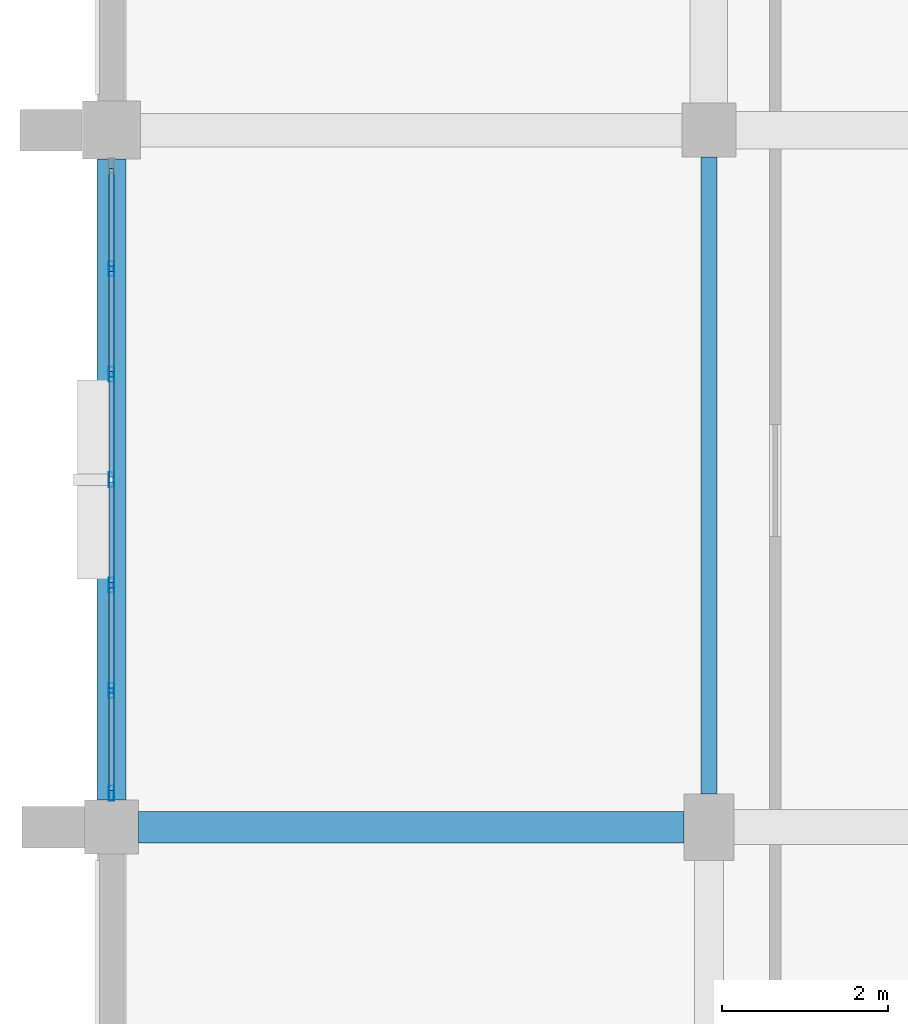
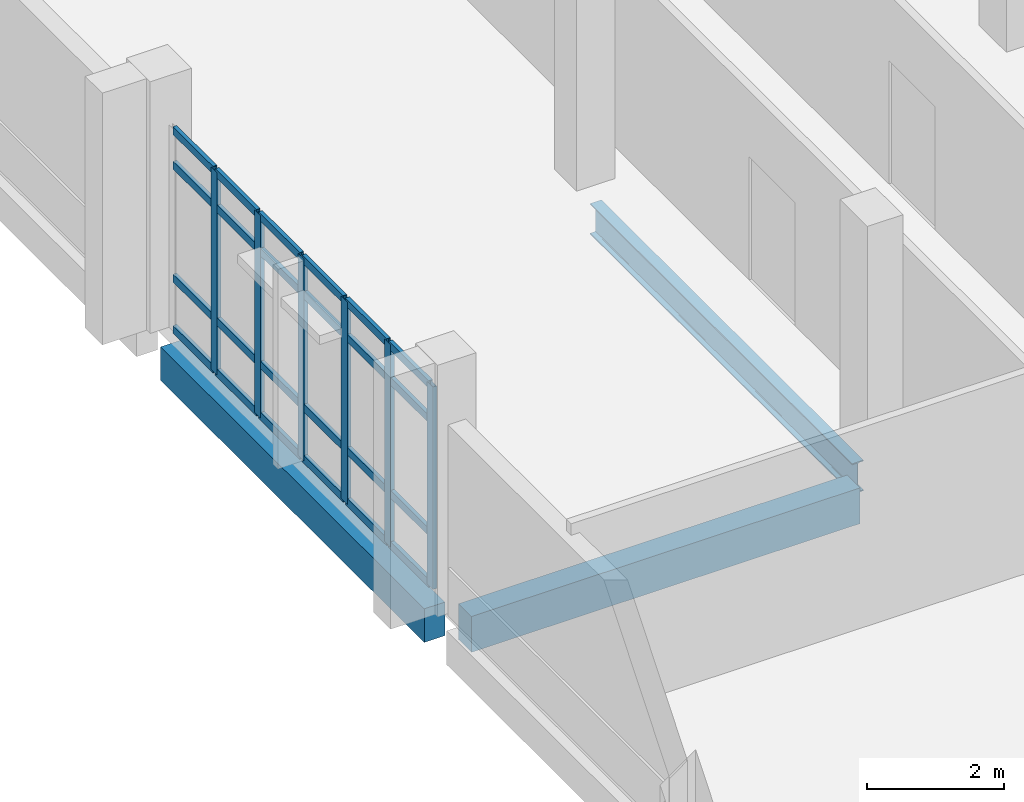
# One storey, part 56 of 116: 30 members, 3 beams, 1 element without a shape of its own.
"""IFC4 building model written with IfcOpenShell, lengths in metres."""

from ifc_helpers import new_model, si_unit, direction, frame, origin, origin_2d, place, context, subcontext, project, spatial, rectangle, hollow_rectangle, i_section, extrude, material, material_profile, profile_set, type_object, element, aggregate, save


model = new_model("IFC4")

# Units and contexts
model_context = context("Model", 3, precision=1e-05, world=origin(), true_north=direction((0.0, 1.0)))
body_context = subcontext(model_context, "Body", "Model", "MODEL_VIEW")
ifc_project = project(units=[si_unit("LENGTHUNIT", "METRE"), si_unit("AREAUNIT", "SQUARE_METRE"), si_unit("VOLUMEUNIT", "CUBIC_METRE"), si_unit("PLANEANGLEUNIT", "RADIAN"), si_unit("MASSUNIT", "GRAM", prefix="KILO")], contexts=[model_context])

# Site, building, storey
site_placement = place(None, origin())
site = spatial("IfcSite", under=ifc_project, at=site_placement, CompositionType="ELEMENT")
building_placement = place(site_placement, origin())
building = spatial("IfcBuilding", under=site, at=building_placement, Name="Kalluvel Institute of Natural Sciences", CompositionType="ELEMENT")
storey_placement = place(building_placement, frame((0.0, 0.0, 14.39990234375)))
storey = spatial("IfcBuildingStorey", under=building, at=storey_placement, Name="L03", CompositionType="ELEMENT", Elevation=14.39990234375)

# Beams
ifc_material_1 = material(Name="Steel E350 Grade 350", Category="steel")
ifc_material_profile_1 = material_profile(ifc_material_1, i_section(OverallWidth=0.18994140625, OverallDepth=0.550048828125, WebThickness=0.01123046875, FlangeThickness=0.019287109375, FilletRadius=0.01806640625, at=origin_2d()), Name="ISMB 550")
ifc_profile_set_1 = profile_set([ifc_material_profile_1], Name="Steel E350 Grade 350")
beam_type_1 = type_object("IfcBeamType", Name="BM-ISMB550", PredefinedType="BEAM", material=ifc_profile_set_1)
beam_1_placement = place(storey_placement, frame((21.199951171875, 86.39990234375, -0.574951171875), z_axis=(0.0, 1.0, 0.0), x_axis=(-1.0, 0.0, 0.0)))
element("IfcBeam", 1, at=beam_1_placement, inside=storey, type_object=beam_type_1, Name="L03 girder GIR-L03-NS-X212-Y860", PredefinedType="BEAM", context=body_context, shape_type="SweptSolid", body=[
    extrude(i_section(OverallWidth=0.18994140625, OverallDepth=0.550048828125, WebThickness=0.01123046875, FlangeThickness=0.019287109375, FilletRadius=0.01806640625, at=origin_2d()), origin(), (0.0, 0.0, 1.0), 7.675048828125),
])
ifc_material_2 = material(Name="Concrete M40", Category="concrete")
ifc_material_profile_2 = material_profile(ifc_material_2, rectangle(XDim=0.3798828125, YDim=0.639892578125, at=origin_2d()), Name="RCB 380x640")
ifc_profile_set_2 = profile_set([ifc_material_profile_2], Name="Concrete M40")
beam_type_2 = type_object("IfcBeamType", Name="BM-RC380x640", PredefinedType="BEAM", material=ifc_profile_set_2)
beam_2_placement = place(storey_placement, frame((14.324951171875, 86.0, -0.619873046875), z_axis=(1.0, 0.0, 0.0), x_axis=(0.0, 1.0, 0.0)))
element("IfcBeam", 2, at=beam_2_placement, inside=storey, type_object=beam_type_2, Name="L03 girder GIR-L03-EW-X140-Y860", PredefinedType="BEAM", context=body_context, shape_type="SweptSolid", body=[
    extrude(rectangle(XDim=0.3798828125, YDim=0.639892578125, at=origin_2d()), origin(), (0.0, 0.0, 1.0), 6.574951171875),
])

# Curtain wall, members
ifc_material_3 = material(Name="Aluminium AW-6063 T6", Category="aluminium")
curtain_wall_type = type_object("IfcCurtainWallType", Name="CW-DRY-45", PredefinedType="USERDEFINED", material=ifc_material_3)
curtain_wall_placement = place(storey_placement, origin())
curtain_wall = element("IfcCurtainWall", 3, at=curtain_wall_placement, inside=storey, type_object=curtain_wall_type, Name="L03 Gothic lancet curtain wall CWA-L03-X140-Y864", ObjectType="UNITISED LANCET FACADE", PredefinedType="USERDEFINED")
ifc_material_profile_3 = material_profile(ifc_material_3, hollow_rectangle(XDim=0.06494140625, YDim=0.179931640625, WallThickness=0.00439453125, at=origin_2d()), Name="CWM 65x180")
ifc_profile_set_3 = profile_set([ifc_material_profile_3], Name="Aluminium AW-6063 T6")
member_type_1 = type_object("IfcMemberType", Name="CWM-65x180", PredefinedType="MULLION", material=ifc_profile_set_3)
member_1_placement = place(storey_placement, frame((14.0, 86.407470703125, 0.0), z_axis=(0.0, 0.0, 1.0), x_axis=(-1.0, 0.0, 0.0)))
member_1 = element("IfcMember", 4, at=member_1_placement, type_object=member_type_1, Name="CW-03 mullion 1", PredefinedType="MULLION", context=body_context, shape_type="SweptSolid", body=[
    extrude(hollow_rectangle(XDim=0.06494140625, YDim=0.179931640625, WallThickness=0.00439453125, at=origin_2d()), origin(), (0.0, 0.0, 1.0), 3.6201171875),
])
member_2_placement = place(storey_placement, frame((14.0, 87.645751953125, 0.0), z_axis=(0.0, 0.0, 1.0), x_axis=(-1.0, 0.0, 0.0)))
member_2 = element("IfcMember", 5, at=member_2_placement, type_object=member_type_1, Name="CW-03 mullion 2", PredefinedType="MULLION", context=body_context, shape_type="SweptSolid", body=[
    extrude(hollow_rectangle(XDim=0.06494140625, YDim=0.179931640625, WallThickness=0.00439453125, at=origin_2d()), origin(), (0.0, 0.0, 1.0), 3.6201171875),
])
member_3_placement = place(storey_placement, frame((14.0, 88.916748046875, 0.0), z_axis=(0.0, 0.0, 1.0), x_axis=(-1.0, 0.0, 0.0)))
member_3 = element("IfcMember", 6, at=member_3_placement, type_object=member_type_1, Name="CW-03 mullion 3", PredefinedType="MULLION", context=body_context, shape_type="SweptSolid", body=[
    extrude(hollow_rectangle(XDim=0.06494140625, YDim=0.179931640625, WallThickness=0.00439453125, at=origin_2d()), origin(), (0.0, 0.0, 1.0), 3.6201171875),
])
member_4_placement = place(storey_placement, frame((14.0, 90.1875, 0.0), z_axis=(0.0, 0.0, 1.0), x_axis=(-1.0, 0.0, 0.0)))
member_4 = element("IfcMember", 7, at=member_4_placement, type_object=member_type_1, Name="CW-03 mullion 4", PredefinedType="MULLION", context=body_context, shape_type="SweptSolid", body=[
    extrude(hollow_rectangle(XDim=0.06494140625, YDim=0.179931640625, WallThickness=0.00439453125, at=origin_2d()), origin(), (0.0, 0.0, 1.0), 3.6201171875),
])
member_5_placement = place(storey_placement, frame((14.0, 91.458251953125, 0.0), z_axis=(0.0, 0.0, 1.0), x_axis=(-1.0, 0.0, 0.0)))
member_5 = element("IfcMember", 8, at=member_5_placement, type_object=member_type_1, Name="CW-03 mullion 5", PredefinedType="MULLION", context=body_context, shape_type="SweptSolid", body=[
    extrude(hollow_rectangle(XDim=0.06494140625, YDim=0.179931640625, WallThickness=0.00439453125, at=origin_2d()), origin(), (0.0, 0.0, 1.0), 3.6201171875),
])
member_6_placement = place(storey_placement, frame((14.0, 92.729248046875, 0.0), z_axis=(0.0, 0.0, 1.0), x_axis=(-1.0, 0.0, 0.0)))
member_6 = element("IfcMember", 9, at=member_6_placement, type_object=member_type_1, Name="CW-03 mullion 6", PredefinedType="MULLION", context=body_context, shape_type="SweptSolid", body=[
    extrude(hollow_rectangle(XDim=0.06494140625, YDim=0.179931640625, WallThickness=0.00439453125, at=origin_2d()), origin(), (0.0, 0.0, 1.0), 3.6201171875),
])
ifc_material_profile_4 = material_profile(ifc_material_3, hollow_rectangle(XDim=0.06494140625, YDim=0.139892578125, WallThickness=0.00439453125, at=origin_2d()), Name="CWT 65x140")
ifc_profile_set_4 = profile_set([ifc_material_profile_4], Name="Aluminium AW-6063 T6")
member_type_2 = type_object("IfcMemberType", Name="CWT-65x140", PredefinedType="USERDEFINED", material=ifc_profile_set_4)
member_7_placement = place(storey_placement, frame((14.0, 86.43994140625, 0.03271484375), z_axis=(0.0, 1.0, 0.0), x_axis=(-1.0, 0.0, 0.0)))
member_7 = element("IfcMember", 10, at=member_7_placement, type_object=member_type_2, Name="CW-03 transom 1.1", ObjectType="TRANSOM", PredefinedType="USERDEFINED", context=body_context, shape_type="SweptSolid", body=[
    extrude(hollow_rectangle(XDim=0.06494140625, YDim=0.139892578125, WallThickness=0.00439453125, at=origin_2d()), origin(), (0.0, 0.0, 1.0), 1.17333984375),
])
member_8_placement = place(storey_placement, frame((14.0, 86.43994140625, 0.9501953125), z_axis=(0.0, 1.0, 0.0), x_axis=(-1.0, 0.0, 0.0)))
member_8 = element("IfcMember", 11, at=member_8_placement, type_object=member_type_2, Name="CW-03 transom 1.2", ObjectType="TRANSOM", PredefinedType="USERDEFINED", context=body_context, shape_type="SweptSolid", body=[
    extrude(hollow_rectangle(XDim=0.06494140625, YDim=0.139892578125, WallThickness=0.00439453125, at=origin_2d()), origin(), (0.0, 0.0, 1.0), 1.17333984375),
])
member_9_placement = place(storey_placement, frame((14.0, 86.43994140625, 2.97021484375), z_axis=(0.0, 1.0, 0.0), x_axis=(-1.0, 0.0, 0.0)))
member_9 = element("IfcMember", 12, at=member_9_placement, type_object=member_type_2, Name="CW-03 transom 1.3", ObjectType="TRANSOM", PredefinedType="USERDEFINED", context=body_context, shape_type="SweptSolid", body=[
    extrude(hollow_rectangle(XDim=0.06494140625, YDim=0.139892578125, WallThickness=0.00439453125, at=origin_2d()), origin(), (0.0, 0.0, 1.0), 1.17333984375),
])
member_10_placement = place(storey_placement, frame((14.0, 86.43994140625, 3.587646484375), z_axis=(0.0, 1.0, 0.0), x_axis=(-1.0, 0.0, 0.0)))
member_10 = element("IfcMember", 13, at=member_10_placement, type_object=member_type_2, Name="CW-03 transom 1.4", ObjectType="TRANSOM", PredefinedType="USERDEFINED", context=body_context, shape_type="SweptSolid", body=[
    extrude(hollow_rectangle(XDim=0.06494140625, YDim=0.139892578125, WallThickness=0.00439453125, at=origin_2d()), origin(), (0.0, 0.0, 1.0), 1.17333984375),
])
member_11_placement = place(storey_placement, frame((14.0, 87.67822265625, 0.03271484375), z_axis=(0.0, 1.0, 0.0), x_axis=(-1.0, 0.0, 0.0)))
member_11 = element("IfcMember", 14, at=member_11_placement, type_object=member_type_2, Name="CW-03 transom 2.1", ObjectType="TRANSOM", PredefinedType="USERDEFINED", context=body_context, shape_type="SweptSolid", body=[
    extrude(hollow_rectangle(XDim=0.06494140625, YDim=0.139892578125, WallThickness=0.00439453125, at=origin_2d()), origin(), (0.0, 0.0, 1.0), 1.2060546875),
])
member_12_placement = place(storey_placement, frame((14.0, 87.67822265625, 0.9501953125), z_axis=(0.0, 1.0, 0.0), x_axis=(-1.0, 0.0, 0.0)))
member_12 = element("IfcMember", 15, at=member_12_placement, type_object=member_type_2, Name="CW-03 transom 2.2", ObjectType="TRANSOM", PredefinedType="USERDEFINED", context=body_context, shape_type="SweptSolid", body=[
    extrude(hollow_rectangle(XDim=0.06494140625, YDim=0.139892578125, WallThickness=0.00439453125, at=origin_2d()), origin(), (0.0, 0.0, 1.0), 1.2060546875),
])
member_13_placement = place(storey_placement, frame((14.0, 87.67822265625, 2.97021484375), z_axis=(0.0, 1.0, 0.0), x_axis=(-1.0, 0.0, 0.0)))
member_13 = element("IfcMember", 16, at=member_13_placement, type_object=member_type_2, Name="CW-03 transom 2.3", ObjectType="TRANSOM", PredefinedType="USERDEFINED", context=body_context, shape_type="SweptSolid", body=[
    extrude(hollow_rectangle(XDim=0.06494140625, YDim=0.139892578125, WallThickness=0.00439453125, at=origin_2d()), origin(), (0.0, 0.0, 1.0), 1.2060546875),
])
member_14_placement = place(storey_placement, frame((14.0, 87.67822265625, 3.587646484375), z_axis=(0.0, 1.0, 0.0), x_axis=(-1.0, 0.0, 0.0)))
member_14 = element("IfcMember", 17, at=member_14_placement, type_object=member_type_2, Name="CW-03 transom 2.4", ObjectType="TRANSOM", PredefinedType="USERDEFINED", context=body_context, shape_type="SweptSolid", body=[
    extrude(hollow_rectangle(XDim=0.06494140625, YDim=0.139892578125, WallThickness=0.00439453125, at=origin_2d()), origin(), (0.0, 0.0, 1.0), 1.2060546875),
])
member_15_placement = place(storey_placement, frame((14.0, 88.94921875, 0.03271484375), z_axis=(0.0, 1.0, 0.0), x_axis=(-1.0, 0.0, 0.0)))
member_15 = element("IfcMember", 18, at=member_15_placement, type_object=member_type_2, Name="CW-03 transom 3.1", ObjectType="TRANSOM", PredefinedType="USERDEFINED", context=body_context, shape_type="SweptSolid", body=[
    extrude(hollow_rectangle(XDim=0.06494140625, YDim=0.139892578125, WallThickness=0.00439453125, at=origin_2d()), origin(), (0.0, 0.0, 1.0), 1.205810546875),
])
member_16_placement = place(storey_placement, frame((14.0, 88.94921875, 0.9501953125), z_axis=(0.0, 1.0, 0.0), x_axis=(-1.0, 0.0, 0.0)))
member_16 = element("IfcMember", 19, at=member_16_placement, type_object=member_type_2, Name="CW-03 transom 3.2", ObjectType="TRANSOM", PredefinedType="USERDEFINED", context=body_context, shape_type="SweptSolid", body=[
    extrude(hollow_rectangle(XDim=0.06494140625, YDim=0.139892578125, WallThickness=0.00439453125, at=origin_2d()), origin(), (0.0, 0.0, 1.0), 1.205810546875),
])
member_17_placement = place(storey_placement, frame((14.0, 88.94921875, 2.97021484375), z_axis=(0.0, 1.0, 0.0), x_axis=(-1.0, 0.0, 0.0)))
member_17 = element("IfcMember", 20, at=member_17_placement, type_object=member_type_2, Name="CW-03 transom 3.3", ObjectType="TRANSOM", PredefinedType="USERDEFINED", context=body_context, shape_type="SweptSolid", body=[
    extrude(hollow_rectangle(XDim=0.06494140625, YDim=0.139892578125, WallThickness=0.00439453125, at=origin_2d()), origin(), (0.0, 0.0, 1.0), 1.205810546875),
])
member_18_placement = place(storey_placement, frame((14.0, 88.94921875, 3.587646484375), z_axis=(0.0, 1.0, 0.0), x_axis=(-1.0, 0.0, 0.0)))
member_18 = element("IfcMember", 21, at=member_18_placement, type_object=member_type_2, Name="CW-03 transom 3.4", ObjectType="TRANSOM", PredefinedType="USERDEFINED", context=body_context, shape_type="SweptSolid", body=[
    extrude(hollow_rectangle(XDim=0.06494140625, YDim=0.139892578125, WallThickness=0.00439453125, at=origin_2d()), origin(), (0.0, 0.0, 1.0), 1.205810546875),
])
member_19_placement = place(storey_placement, frame((14.0, 90.219970703125, 0.03271484375), z_axis=(0.0, 1.0, 0.0), x_axis=(-1.0, 0.0, 0.0)))
member_19 = element("IfcMember", 22, at=member_19_placement, type_object=member_type_2, Name="CW-03 transom 4.1", ObjectType="TRANSOM", PredefinedType="USERDEFINED", context=body_context, shape_type="SweptSolid", body=[
    extrude(hollow_rectangle(XDim=0.06494140625, YDim=0.139892578125, WallThickness=0.00439453125, at=origin_2d()), origin(), (0.0, 0.0, 1.0), 1.205810546875),
])
member_20_placement = place(storey_placement, frame((14.0, 90.219970703125, 0.9501953125), z_axis=(0.0, 1.0, 0.0), x_axis=(-1.0, 0.0, 0.0)))
member_20 = element("IfcMember", 23, at=member_20_placement, type_object=member_type_2, Name="CW-03 transom 4.2", ObjectType="TRANSOM", PredefinedType="USERDEFINED", context=body_context, shape_type="SweptSolid", body=[
    extrude(hollow_rectangle(XDim=0.06494140625, YDim=0.139892578125, WallThickness=0.00439453125, at=origin_2d()), origin(), (0.0, 0.0, 1.0), 1.205810546875),
])
member_21_placement = place(storey_placement, frame((14.0, 90.219970703125, 2.97021484375), z_axis=(0.0, 1.0, 0.0), x_axis=(-1.0, 0.0, 0.0)))
member_21 = element("IfcMember", 24, at=member_21_placement, type_object=member_type_2, Name="CW-03 transom 4.3", ObjectType="TRANSOM", PredefinedType="USERDEFINED", context=body_context, shape_type="SweptSolid", body=[
    extrude(hollow_rectangle(XDim=0.06494140625, YDim=0.139892578125, WallThickness=0.00439453125, at=origin_2d()), origin(), (0.0, 0.0, 1.0), 1.205810546875),
])
member_22_placement = place(storey_placement, frame((14.0, 90.219970703125, 3.587646484375), z_axis=(0.0, 1.0, 0.0), x_axis=(-1.0, 0.0, 0.0)))
member_22 = element("IfcMember", 25, at=member_22_placement, type_object=member_type_2, Name="CW-03 transom 4.4", ObjectType="TRANSOM", PredefinedType="USERDEFINED", context=body_context, shape_type="SweptSolid", body=[
    extrude(hollow_rectangle(XDim=0.06494140625, YDim=0.139892578125, WallThickness=0.00439453125, at=origin_2d()), origin(), (0.0, 0.0, 1.0), 1.205810546875),
])
member_23_placement = place(storey_placement, frame((14.0, 91.49072265625, 0.03271484375), z_axis=(0.0, 1.0, 0.0), x_axis=(-1.0, 0.0, 0.0)))
member_23 = element("IfcMember", 26, at=member_23_placement, type_object=member_type_2, Name="CW-03 transom 5.1", ObjectType="TRANSOM", PredefinedType="USERDEFINED", context=body_context, shape_type="SweptSolid", body=[
    extrude(hollow_rectangle(XDim=0.06494140625, YDim=0.139892578125, WallThickness=0.00439453125, at=origin_2d()), origin(), (0.0, 0.0, 1.0), 1.2060546875),
])
member_24_placement = place(storey_placement, frame((14.0, 91.49072265625, 0.9501953125), z_axis=(0.0, 1.0, 0.0), x_axis=(-1.0, 0.0, 0.0)))
member_24 = element("IfcMember", 27, at=member_24_placement, type_object=member_type_2, Name="CW-03 transom 5.2", ObjectType="TRANSOM", PredefinedType="USERDEFINED", context=body_context, shape_type="SweptSolid", body=[
    extrude(hollow_rectangle(XDim=0.06494140625, YDim=0.139892578125, WallThickness=0.00439453125, at=origin_2d()), origin(), (0.0, 0.0, 1.0), 1.2060546875),
])
member_25_placement = place(storey_placement, frame((14.0, 91.49072265625, 2.97021484375), z_axis=(0.0, 1.0, 0.0), x_axis=(-1.0, 0.0, 0.0)))
member_25 = element("IfcMember", 28, at=member_25_placement, type_object=member_type_2, Name="CW-03 transom 5.3", ObjectType="TRANSOM", PredefinedType="USERDEFINED", context=body_context, shape_type="SweptSolid", body=[
    extrude(hollow_rectangle(XDim=0.06494140625, YDim=0.139892578125, WallThickness=0.00439453125, at=origin_2d()), origin(), (0.0, 0.0, 1.0), 1.2060546875),
])
member_26_placement = place(storey_placement, frame((14.0, 91.49072265625, 3.587646484375), z_axis=(0.0, 1.0, 0.0), x_axis=(-1.0, 0.0, 0.0)))
member_26 = element("IfcMember", 29, at=member_26_placement, type_object=member_type_2, Name="CW-03 transom 5.4", ObjectType="TRANSOM", PredefinedType="USERDEFINED", context=body_context, shape_type="SweptSolid", body=[
    extrude(hollow_rectangle(XDim=0.06494140625, YDim=0.139892578125, WallThickness=0.00439453125, at=origin_2d()), origin(), (0.0, 0.0, 1.0), 1.2060546875),
])
member_27_placement = place(storey_placement, frame((14.0, 92.76171875, 0.03271484375), z_axis=(0.0, 1.0, 0.0), x_axis=(-1.0, 0.0, 0.0)))
member_27 = element("IfcMember", 30, at=member_27_placement, type_object=member_type_2, Name="CW-03 transom 6.1", ObjectType="TRANSOM", PredefinedType="USERDEFINED", context=body_context, shape_type="SweptSolid", body=[
    extrude(hollow_rectangle(XDim=0.06494140625, YDim=0.139892578125, WallThickness=0.00439453125, at=origin_2d()), origin(), (0.0, 0.0, 1.0), 1.17333984375),
])
member_28_placement = place(storey_placement, frame((14.0, 92.76171875, 0.9501953125), z_axis=(0.0, 1.0, 0.0), x_axis=(-1.0, 0.0, 0.0)))
member_28 = element("IfcMember", 31, at=member_28_placement, type_object=member_type_2, Name="CW-03 transom 6.2", ObjectType="TRANSOM", PredefinedType="USERDEFINED", context=body_context, shape_type="SweptSolid", body=[
    extrude(hollow_rectangle(XDim=0.06494140625, YDim=0.139892578125, WallThickness=0.00439453125, at=origin_2d()), origin(), (0.0, 0.0, 1.0), 1.17333984375),
])
member_29_placement = place(storey_placement, frame((14.0, 92.76171875, 2.97021484375), z_axis=(0.0, 1.0, 0.0), x_axis=(-1.0, 0.0, 0.0)))
member_29 = element("IfcMember", 32, at=member_29_placement, type_object=member_type_2, Name="CW-03 transom 6.3", ObjectType="TRANSOM", PredefinedType="USERDEFINED", context=body_context, shape_type="SweptSolid", body=[
    extrude(hollow_rectangle(XDim=0.06494140625, YDim=0.139892578125, WallThickness=0.00439453125, at=origin_2d()), origin(), (0.0, 0.0, 1.0), 1.17333984375),
])
member_30_placement = place(storey_placement, frame((14.0, 92.76171875, 3.587646484375), z_axis=(0.0, 1.0, 0.0), x_axis=(-1.0, 0.0, 0.0)))
member_30 = element("IfcMember", 33, at=member_30_placement, type_object=member_type_2, Name="CW-03 transom 6.4", ObjectType="TRANSOM", PredefinedType="USERDEFINED", context=body_context, shape_type="SweptSolid", body=[
    extrude(hollow_rectangle(XDim=0.06494140625, YDim=0.139892578125, WallThickness=0.00439453125, at=origin_2d()), origin(), (0.0, 0.0, 1.0), 1.17333984375),
])
aggregate(curtain_wall, [member_1, member_2, member_3, member_4, member_5, member_6, member_7, member_8, member_9, member_10, member_11, member_12, member_13, member_14, member_15, member_16, member_17, member_18, member_19, member_20, member_21, member_22, member_23, member_24, member_25, member_26, member_27, member_28, member_29, member_30])

# Beam
ifc_material_profile_5 = material_profile(ifc_material_2, rectangle(XDim=0.35009765625, YDim=0.60009765625, at=origin_2d()), Name="RCB 350x600")
ifc_profile_set_5 = profile_set([ifc_material_profile_5], Name="Concrete M40")
beam_type_3 = type_object("IfcBeamType", Name="SP-RC350x600", PredefinedType="SPANDREL", material=ifc_profile_set_5)
beam_3_placement = place(storey_placement, frame((14.0, 86.324951171875, -0.599853515625), z_axis=(0.0, 1.0, 0.0), x_axis=(-1.0, 0.0, 0.0)))
element("IfcBeam", 34, at=beam_3_placement, inside=storey, type_object=beam_type_3, Name="L03 girder GIR-L03-NS-X140-Y860", PredefinedType="SPANDREL", context=body_context, shape_type="SweptSolid", body=[
    extrude(rectangle(XDim=0.35009765625, YDim=0.60009765625, at=origin_2d()), origin(), (0.0, 0.0, 1.0), 7.72509765625),
])

save(model, "model.ifc")
